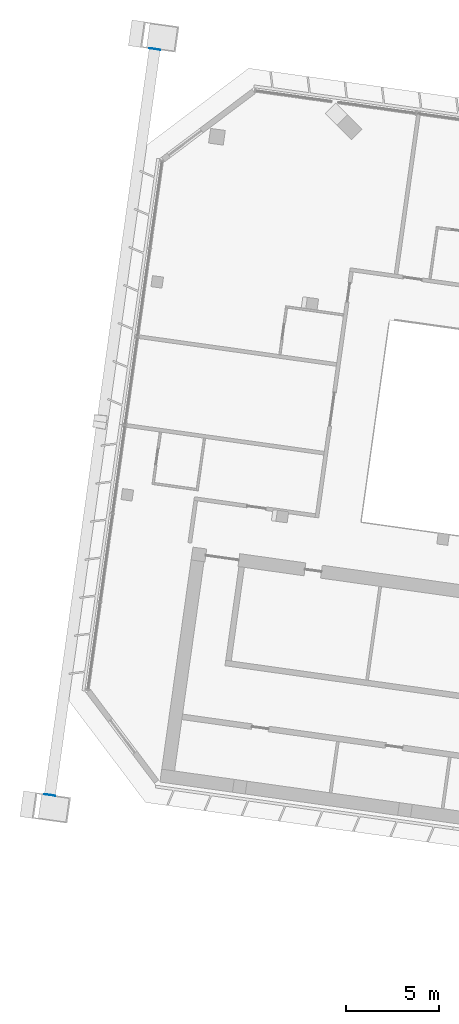
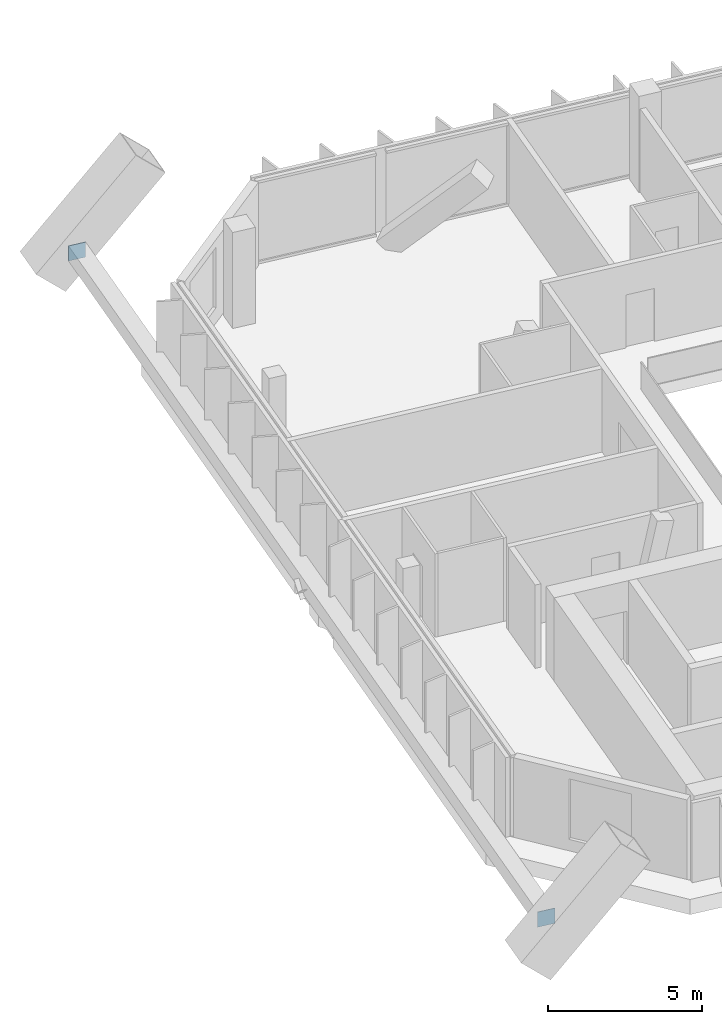
# One storey, part 26 of 29: 2 discrete accessories.
"""IFC4 building model written with IfcOpenShell, lengths in metres."""

from ifc_helpers import new_model, si_unit, direction, frame, origin, origin_2d, place, context, subcontext, project, spatial, rectangle, extrude, material, material_profile, profile_set, type_object, element, save


model = new_model("IFC4")

# Units and contexts
model_context = context("Model", 3, precision=1e-05, world=origin(), true_north=direction((0.0, 1.0)))
body_context = subcontext(model_context, "Body", "Model", "MODEL_VIEW")
ifc_project = project(units=[si_unit("LENGTHUNIT", "METRE"), si_unit("AREAUNIT", "SQUARE_METRE"), si_unit("VOLUMEUNIT", "CUBIC_METRE"), si_unit("PLANEANGLEUNIT", "RADIAN"), si_unit("MASSUNIT", "GRAM", prefix="KILO")], contexts=[model_context])

# Site, building, storey
site_placement = place(None, origin())
site = spatial("IfcSite", under=ifc_project, at=site_placement, CompositionType="ELEMENT")
building_placement = place(site_placement, origin())
building = spatial("IfcBuilding", under=site, at=building_placement, Name="Mirante Cascada Hotel Towers", CompositionType="ELEMENT")
storey_placement = place(building_placement, frame((0.0, 0.0, 206.8)))
storey = spatial("IfcBuildingStorey", under=building, at=storey_placement, Name="L49", CompositionType="ELEMENT", Elevation=206.8)

# Discrete accessories
ifc_material = material(Name="Steel ASTM A572 Gr 50", Category="steel")
ifc_material_profile = material_profile(ifc_material, rectangle(XDim=0.6, YDim=0.6, at=origin_2d()), Name="Connection plate 600x600x25 ASTM A572 Gr 50")
ifc_profile_set = profile_set([ifc_material_profile], Name="Steel ASTM A572 Gr 50")
discrete_accessory_type = type_object("IfcDiscreteAccessoryType", Name="Connection plate 600x600x25 ASTM A572 Gr 50", PredefinedType="BRACKET", material=ifc_profile_set)
for number, where, z_axis, x_axis, name in (
    (1, (-87.3753, -14.4687, 1.0), (0.1402989, 0.9901092, 0.0), (-0.9901092, 0.1402989, 0.0), "Connection plate NCH"),
    (2, (-81.7193, 25.7758, 1.0), (0.1402989, 0.9901092, 0.0), (-0.9901092, 0.1402989, 0.0), "Connection plate NCH"),
):
    element("IfcDiscreteAccessory", number, at=place(storey_placement, frame(where, z_axis=z_axis, x_axis=x_axis)), inside=storey, type_object=discrete_accessory_type, Name=name, PredefinedType="BRACKET", context=body_context, shape_type="SweptSolid", body=[
        extrude(rectangle(XDim=0.6, YDim=0.6, at=origin_2d()), origin(), (0.0, 0.0, 1.0), 0.0249),
    ])

save(model, "model.ifc")
